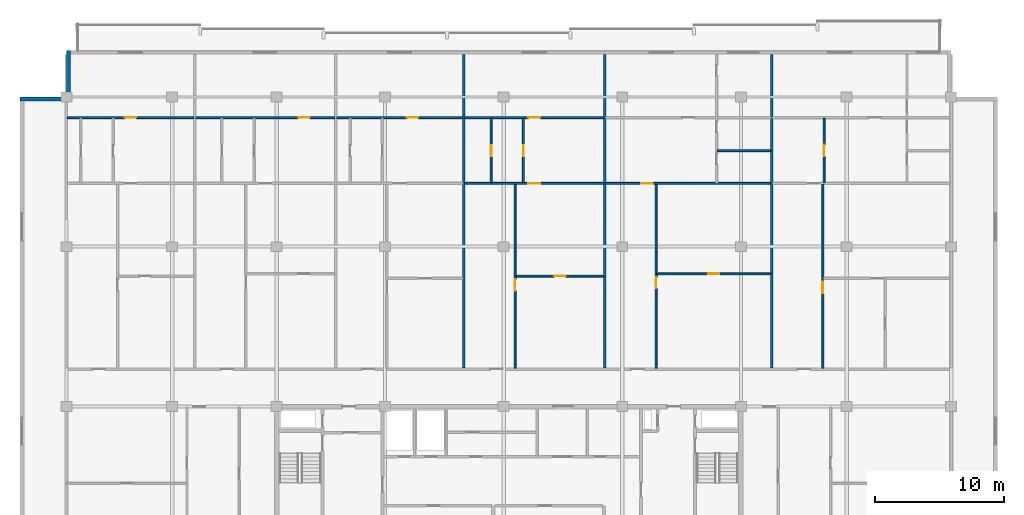
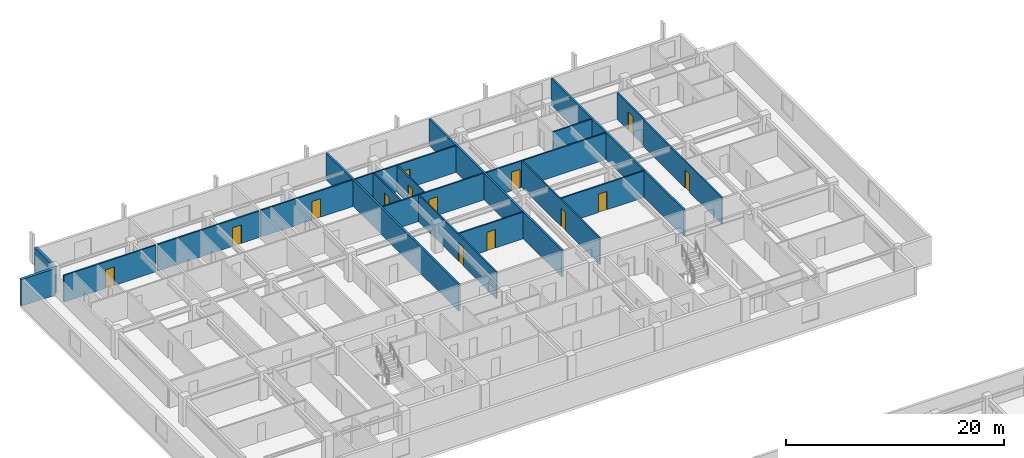
# One storey, part 11 of 17: 20 walls, 14 doors, 14 openings.
"""IFC4 building model written with IfcOpenShell, lengths in metres."""

from ifc_helpers import new_model, si_unit, direction, frame, frame_2d, origin, place, context, subcontext, project, spatial, rectangle, extrude, material, layer, layer_set, type_object, element, fill, save


model = new_model("IFC4")

# Units and contexts
model_context = context("Model", 3, precision=1e-05, world=origin(), true_north=direction((0.0, 1.0)))
body_context = subcontext(model_context, "Body", "Model", "MODEL_VIEW")
ifc_project = project(units=[si_unit("LENGTHUNIT", "METRE"), si_unit("AREAUNIT", "SQUARE_METRE"), si_unit("VOLUMEUNIT", "CUBIC_METRE"), si_unit("PLANEANGLEUNIT", "RADIAN"), si_unit("MASSUNIT", "GRAM", prefix="KILO")], contexts=[model_context])

# Site, building, storey
site_placement = place(None, origin())
site = spatial("IfcSite", under=ifc_project, at=site_placement, CompositionType="ELEMENT")
building_placement = place(site_placement, origin())
building = spatial("IfcBuilding", under=site, at=building_placement, Name="Korimba Cascade Residences", CompositionType="ELEMENT")
storey_placement = place(building_placement, frame((0.0, 0.0, 204.35009765625)))
storey = spatial("IfcBuildingStorey", under=building, at=storey_placement, Name="L59", CompositionType="ELEMENT", Elevation=204.35009765625)

# Walls
ifc_material_1 = material(Name="Precast concrete C40/50", Category="concrete")
ifc_layer_1 = layer(ifc_material_1, 0.300048828125)
ifc_layer_set_1 = layer_set([ifc_layer_1], Name="Precast concrete C40/50")
wall_type_1 = type_object("IfcWallType", Name="EW-STONE-300", PredefinedType="STANDARD", material=ifc_layer_set_1)
for number, where, z_axis, x_axis, name in (
    (1, (59.949951171875, 94.800048828125, 0.0), (0.0, 0.0, 1.0), (0.0, -1.0, 0.0), "L59 T1 Perimeter Stone Wall E07"),
    (2, (59.800048828125, 91.050048828125, 0.0), (0.0, 0.0, 1.0), (-1.0, 0.0, 0.0), "L59 T1 Perimeter Stone Wall E08"),
):
    element("IfcWall", number, at=place(storey_placement, frame(where, z_axis=z_axis, x_axis=x_axis)), inside=storey, type_object=wall_type_1, Name=name, PredefinedType="STANDARD", context=body_context, shape_type="SweptSolid", body=[
        extrude(rectangle(XDim=3.60009765625, YDim=0.300048828125, at=frame_2d((1.800048828125, 0.0))), origin(), (0.0, 0.0, 1.0), 2.97998046875),
    ])
ifc_layer_2 = layer(ifc_material_1, 0.199951171875)
ifc_layer_set_2 = layer_set([ifc_layer_2], Name="Precast concrete C40/50")
wall_type_2 = type_object("IfcWallType", Name="WAL-IT-200", PredefinedType="PARTITIONING", material=ifc_layer_set_2)
for number, where, z_axis, x_axis, name in (
    (3, (90.6201171875, 70.179931640625, 0.0), (0.0, 0.0, 1.0), (0.0, 1.0, 0.0), "L59 Partition Wall WAL-L59-T1-DEM-3"),
    (4, (101.556396484375, 70.179931640625, 0.0), (0.0, 0.0, 1.0), (0.0, 1.0, 0.0), "L59 Partition Wall WAL-L59-T1-DEM-4"),
    (5, (114.48095703125, 70.179931640625, 0.0), (0.0, 0.0, 1.0), (0.0, 1.0, 0.0), "L59 Partition Wall WAL-L59-T1-DEM-5"),
):
    element("IfcWall", number, at=place(storey_placement, frame(where, z_axis=z_axis, x_axis=x_axis)), inside=storey, type_object=wall_type_2, Name=name, PredefinedType="PARTITIONING", context=body_context, shape_type="SweptSolid", body=[
        extrude(rectangle(XDim=24.320068359375, YDim=0.199951171875, at=frame_2d((12.16015625, 0.0))), origin(), (0.0, 0.0, 1.0), 2.97998046875),
    ])

# Wall, opening, door
ifc_material_2 = material(Name="Insulated Acoustic Stud Partition", Category="gypsum")
ifc_layer_3 = layer(ifc_material_2, 0.14990234375)
ifc_layer_set_3 = layer_set([ifc_layer_3], Name="Insulated Acoustic Stud Partition")
wall_type_3 = type_object("IfcWallType", Name="WAL-PART-150", PredefinedType="PARTITIONING", material=ifc_layer_set_3)
wall_1_placement = place(storey_placement, frame((59.8798828125, 89.60009765625, 0.0), z_axis=(0.0, 0.0, 1.0), x_axis=(1.0, 0.0, 0.0)))
wall_1 = element("IfcWall", 6, at=wall_1_placement, inside=storey, type_object=wall_type_3, Name="L59 Partition Wall WAL-L59-T1-U01-HZ", PredefinedType="PARTITIONING", context=body_context, shape_type="SweptSolid", body=[
    extrude(rectangle(XDim=9.7822265625, YDim=0.14990234375, at=frame_2d((4.89111328125, 0.0))), origin(), (0.0, 0.0, 1.0), 2.97998046875),
])
opening_1_placement = place(wall_1_placement, frame((4.430908203125, 0.0, 0.0)))
opening_1 = element("IfcOpeningElement", 7, at=opening_1_placement, cuts=wall_1, Name="Opening D-IN1", PredefinedType="OPENING", context=body_context, shape_type="SweptSolid", body=[
    extrude(rectangle(XDim=0.919921875, YDim=2.080078125, at=frame_2d((0.4599609375, 1.0400390625))), frame((0.0, 0.0849609375, 0.0), z_axis=(0.0, -1.0, 0.0), x_axis=(1.0, 0.0, 0.0)), (0.0, 0.0, 1.0), 0.169921875),
])
ifc_material_3 = material(Name="Acoustic Timber Living Door", Category="wood")
door_type_1 = type_object("IfcDoorType", Name="DR-INT-920", OperationType="NOTDEFINED", PredefinedType="DOOR", material=ifc_material_3)
door_1_placement = place(opening_1_placement, origin())
door_1 = element("IfcDoor", 8, at=door_1_placement, inside=storey, type_object=door_type_1, Name="L59-T1-U01 Studio Door", OperationType="SINGLE_SWING_RIGHT", OverallHeight=2.080078125, OverallWidth=0.919921875, PredefinedType="DOOR", context=body_context, shape_type="SweptSolid", body=[
    extrude(rectangle(XDim=0.919921875, YDim=2.080078125, at=frame_2d((0.4599609375, 1.0400390625))), frame((0.0, 0.02490234375, 0.0), z_axis=(0.0, -1.0, 0.0), x_axis=(1.0, 0.0, 0.0)), (0.0, 0.0, 1.0), 0.050048828125),
])
fill(opening_1, door_1)

wall_2_placement = place(storey_placement, frame((69.822021484375, 89.60009765625, 0.0), z_axis=(0.0, 0.0, 1.0), x_axis=(1.0, 0.0, 0.0)))
wall_2 = element("IfcWall", 9, at=wall_2_placement, inside=storey, type_object=wall_type_3, Name="L59 Partition Wall WAL-L59-T1-U02-HZ", PredefinedType="PARTITIONING", context=body_context, shape_type="SweptSolid", body=[
    extrude(rectangle(XDim=10.776123046875, YDim=0.14990234375, at=frame_2d((5.38818359375, 0.0))), origin(), (0.0, 0.0, 1.0), 2.97998046875),
])
opening_2_placement = place(wall_2_placement, frame((7.94091796875, 0.0, 0.0)))
opening_2 = element("IfcOpeningElement", 10, at=opening_2_placement, cuts=wall_2, Name="Opening D-IN1", PredefinedType="OPENING", context=body_context, shape_type="SweptSolid", body=[
    extrude(rectangle(XDim=0.919921875, YDim=2.080078125, at=frame_2d((0.4599609375, 1.0400390625))), frame((0.0, 0.0849609375, 0.0), z_axis=(0.0, -1.0, 0.0), x_axis=(1.0, 0.0, 0.0)), (0.0, 0.0, 1.0), 0.169921875),
])
door_2_placement = place(opening_2_placement, origin())
door_2 = element("IfcDoor", 11, at=door_2_placement, inside=storey, type_object=door_type_1, Name="L59-T1-U02 Studio Door", OperationType="SINGLE_SWING_RIGHT", OverallHeight=2.080078125, OverallWidth=0.919921875, PredefinedType="DOOR", context=body_context, shape_type="SweptSolid", body=[
    extrude(rectangle(XDim=0.919921875, YDim=2.080078125, at=frame_2d((0.4599609375, 1.0400390625))), frame((0.0, 0.02490234375, 0.0), z_axis=(0.0, -1.0, 0.0), x_axis=(1.0, 0.0, 0.0)), (0.0, 0.0, 1.0), 0.050048828125),
])
fill(opening_2, door_2)

wall_3_placement = place(storey_placement, frame((80.75830078125, 89.60009765625, 0.0), z_axis=(0.0, 0.0, 1.0), x_axis=(1.0, 0.0, 0.0)))
wall_3 = element("IfcWall", 12, at=wall_3_placement, inside=storey, type_object=wall_type_3, Name="L59 Partition Wall WAL-L59-T1-U03-HZ", PredefinedType="PARTITIONING", context=body_context, shape_type="SweptSolid", body=[
    extrude(rectangle(XDim=9.781982421875, YDim=0.14990234375, at=frame_2d((4.89111328125, 0.0))), origin(), (0.0, 0.0, 1.0), 2.97998046875),
])
opening_3_placement = place(wall_3_placement, frame((5.417236328125, 0.0, 0.0)))
opening_3 = element("IfcOpeningElement", 13, at=opening_3_placement, cuts=wall_3, Name="Opening D-IN1", PredefinedType="OPENING", context=body_context, shape_type="SweptSolid", body=[
    extrude(rectangle(XDim=0.919921875, YDim=2.080078125, at=frame_2d((0.4599609375, 1.0400390625))), frame((0.0, 0.0849609375, 0.0), z_axis=(0.0, -1.0, 0.0), x_axis=(1.0, 0.0, 0.0)), (0.0, 0.0, 1.0), 0.169921875),
])
door_3_placement = place(opening_3_placement, origin())
door_3 = element("IfcDoor", 14, at=door_3_placement, inside=storey, type_object=door_type_1, Name="L59-T1-U03 Studio Door", OperationType="SINGLE_SWING_RIGHT", OverallHeight=2.080078125, OverallWidth=0.919921875, PredefinedType="DOOR", context=body_context, shape_type="SweptSolid", body=[
    extrude(rectangle(XDim=0.919921875, YDim=2.080078125, at=frame_2d((0.4599609375, 1.0400390625))), frame((0.0, 0.02490234375, 0.0), z_axis=(0.0, -1.0, 0.0), x_axis=(1.0, 0.0, 0.0)), (0.0, 0.0, 1.0), 0.050048828125),
])
fill(opening_3, door_3)

wall_4_placement = place(storey_placement, frame((94.650146484375, 77.31005859375, 0.0), z_axis=(0.0, 0.0, 1.0), x_axis=(1.0, 0.0, 0.0)))
wall_4 = element("IfcWall", 15, at=wall_4_placement, inside=storey, type_object=wall_type_3, Name="L59 Partition Wall WAL-L59-T1-U04-FMH", PredefinedType="PARTITIONING", context=body_context, shape_type="SweptSolid", body=[
    extrude(rectangle(XDim=6.826171875, YDim=0.14990234375, at=frame_2d((3.4130859375, 0.0))), origin(), (0.0, 0.0, 1.0), 2.97998046875),
])
opening_4_placement = place(wall_4_placement, frame((2.97314453125, 0.0, 0.0)))
opening_4 = element("IfcOpeningElement", 16, at=opening_4_placement, cuts=wall_4, Name="Opening D-IN2", PredefinedType="OPENING", context=body_context, shape_type="SweptSolid", body=[
    extrude(rectangle(XDim=0.8798828125, YDim=2.06005859375, at=frame_2d((0.43994140625, 1.030029296875))), frame((0.0, 0.0849609375, 0.0), z_axis=(0.0, -1.0, 0.0), x_axis=(1.0, 0.0, 0.0)), (0.0, 0.0, 1.0), 0.169921875),
])
ifc_material_4 = material(Name="Acoustic Timber Bedroom Door", Category="wood")
door_type_2 = type_object("IfcDoorType", Name="DR-INT-880", OperationType="NOTDEFINED", PredefinedType="DOOR", material=ifc_material_4)
door_4_placement = place(opening_4_placement, origin())
door_4 = element("IfcDoor", 17, at=door_4_placement, inside=storey, type_object=door_type_2, Name="L59-T1-U04 Library Salon Door", OperationType="SINGLE_SWING_LEFT", OverallHeight=2.06005859375, OverallWidth=0.8798828125, PredefinedType="DOOR", context=body_context, shape_type="SweptSolid", body=[
    extrude(rectangle(XDim=0.8798828125, YDim=2.06005859375, at=frame_2d((0.43994140625, 1.030029296875))), frame((0.0, 0.02490234375, 0.0), z_axis=(0.0, -1.0, 0.0), x_axis=(1.0, 0.0, 0.0)), (0.0, 0.0, 1.0), 0.050048828125),
])
fill(opening_4, door_4)

wall_5_placement = place(storey_placement, frame((94.590087890625, 70.159912109375, 0.0), z_axis=(0.0, 0.0, 1.0), x_axis=(0.0, 1.0, 0.0)))
wall_5 = element("IfcWall", 18, at=wall_5_placement, inside=storey, type_object=wall_type_3, Name="L59 Partition Wall WAL-L59-T1-U04-FV", PredefinedType="PARTITIONING", context=body_context, shape_type="SweptSolid", body=[
    extrude(rectangle(XDim=14.300048828125, YDim=0.14990234375, at=frame_2d((7.14990234375, 0.0))), origin(), (0.0, 0.0, 1.0), 2.97998046875),
])
opening_5_placement = place(wall_5_placement, frame((6.02001953125, 0.0, 0.0)))
opening_5 = element("IfcOpeningElement", 19, at=opening_5_placement, cuts=wall_5, Name="Opening D-IN2", PredefinedType="OPENING", context=body_context, shape_type="SweptSolid", body=[
    extrude(rectangle(XDim=0.8798828125, YDim=2.06005859375, at=frame_2d((0.43994140625, 1.030029296875))), frame((0.0, 0.0849609375, 0.0), z_axis=(0.0, -1.0, 0.0), x_axis=(1.0, 0.0, 0.0)), (0.0, 0.0, 1.0), 0.169921875),
])
door_5_placement = place(opening_5_placement, origin())
door_5 = element("IfcDoor", 20, at=door_5_placement, inside=storey, type_object=door_type_2, Name="L59-T1-U04 Media Lounge Door", OperationType="SINGLE_SWING_RIGHT", OverallHeight=2.06005859375, OverallWidth=0.8798828125, PredefinedType="DOOR", context=body_context, shape_type="SweptSolid", body=[
    extrude(rectangle(XDim=0.8798828125, YDim=2.06005859375, at=frame_2d((0.43994140625, 1.030029296875))), frame((0.0, 0.02490234375, 0.0), z_axis=(0.0, -1.0, 0.0), x_axis=(1.0, 0.0, 0.0)), (0.0, 0.0, 1.0), 0.050048828125),
])
fill(opening_5, door_5)

wall_6_placement = place(storey_placement, frame((92.736328125, 84.5400390625, 0.0), z_axis=(0.0, 0.0, 1.0), x_axis=(0.0, 1.0, 0.0)))
wall_6 = element("IfcWall", 21, at=wall_6_placement, inside=storey, type_object=wall_type_3, Name="L59 Partition Wall WAL-L59-T1-U04-CLS", PredefinedType="PARTITIONING", context=body_context, shape_type="SweptSolid", body=[
    extrude(rectangle(XDim=5.0, YDim=0.14990234375, at=frame_2d((2.5, 0.0))), origin(), (0.0, 0.0, 1.0), 2.97998046875),
])
opening_6_placement = place(wall_6_placement, frame((2.080078125, 0.0, 0.0)))
opening_6 = element("IfcOpeningElement", 22, at=opening_6_placement, cuts=wall_6, Name="Opening D-BT1", PredefinedType="OPENING", context=body_context, shape_type="SweptSolid", body=[
    extrude(rectangle(XDim=0.840087890625, YDim=2.0400390625, at=frame_2d((0.419921875, 1.02001953125))), frame((0.0, 0.0849609375, 0.0), z_axis=(0.0, -1.0, 0.0), x_axis=(1.0, 0.0, 0.0)), (0.0, 0.0, 1.0), 0.169921875),
])
ifc_material_5 = material(Name="Moisture-Resistant Bathroom Timber Door", Category="wood")
door_type_3 = type_object("IfcDoorType", Name="DR-INT-850", OperationType="NOTDEFINED", PredefinedType="DOOR", material=ifc_material_5)
door_6_placement = place(opening_6_placement, origin())
door_6 = element("IfcDoor", 23, at=door_6_placement, inside=storey, type_object=door_type_3, Name="L59-T1-U04 Closet Door", OperationType="SINGLE_SWING_LEFT", OverallHeight=2.0400390625, OverallWidth=0.840087890625, PredefinedType="DOOR", context=body_context, shape_type="SweptSolid", body=[
    extrude(rectangle(XDim=0.840087890625, YDim=2.0400390625, at=frame_2d((0.419921875, 1.02001953125))), frame((0.0, 0.02490234375, 0.0), z_axis=(0.0, -1.0, 0.0), x_axis=(1.0, 0.0, 0.0)), (0.0, 0.0, 1.0), 0.050048828125),
])
fill(opening_6, door_6)

wall_7_placement = place(storey_placement, frame((95.236328125, 84.5400390625, 0.0), z_axis=(0.0, 0.0, 1.0), x_axis=(0.0, 1.0, 0.0)))
wall_7 = element("IfcWall", 24, at=wall_7_placement, inside=storey, type_object=wall_type_3, Name="L59 Partition Wall WAL-L59-T1-U04-BM", PredefinedType="PARTITIONING", context=body_context, shape_type="SweptSolid", body=[
    extrude(rectangle(XDim=5.0, YDim=0.14990234375, at=frame_2d((2.5, 0.0))), origin(), (0.0, 0.0, 1.0), 2.97998046875),
])
opening_7_placement = place(wall_7_placement, frame((2.080078125, 0.0, 0.0)))
opening_7 = element("IfcOpeningElement", 25, at=opening_7_placement, cuts=wall_7, Name="Opening D-BT1", PredefinedType="OPENING", context=body_context, shape_type="SweptSolid", body=[
    extrude(rectangle(XDim=0.840087890625, YDim=2.0400390625, at=frame_2d((0.419921875, 1.02001953125))), frame((0.0, 0.0849609375, 0.0), z_axis=(0.0, -1.0, 0.0), x_axis=(1.0, 0.0, 0.0)), (0.0, 0.0, 1.0), 0.169921875),
])
door_7_placement = place(opening_7_placement, origin())
door_7 = element("IfcDoor", 26, at=door_7_placement, inside=storey, type_object=door_type_3, Name="L59-T1-U04 Bathroom Door", OperationType="SINGLE_SWING_RIGHT", OverallHeight=2.0400390625, OverallWidth=0.840087890625, PredefinedType="DOOR", context=body_context, shape_type="SweptSolid", body=[
    extrude(rectangle(XDim=0.840087890625, YDim=2.0400390625, at=frame_2d((0.419921875, 1.02001953125))), frame((0.0, 0.02490234375, 0.0), z_axis=(0.0, -1.0, 0.0), x_axis=(1.0, 0.0, 0.0)), (0.0, 0.0, 1.0), 0.050048828125),
])
fill(opening_7, door_7)

wall_8_placement = place(storey_placement, frame((90.7001953125, 84.5, 0.0), z_axis=(0.0, 0.0, 1.0), x_axis=(1.0, 0.0, 0.0)))
wall_8 = element("IfcWall", 27, at=wall_8_placement, inside=storey, type_object=wall_type_3, Name="L59 Partition Wall WAL-L59-T1-U04-MW", PredefinedType="PARTITIONING", context=body_context, shape_type="SweptSolid", body=[
    extrude(rectangle(XDim=10.776123046875, YDim=0.14990234375, at=frame_2d((5.38818359375, 0.0))), origin(), (0.0, 0.0, 1.0), 2.97998046875),
])
opening_8_placement = place(wall_8_placement, frame((4.927978515625, 0.0, 0.0)))
opening_8 = element("IfcOpeningElement", 28, at=opening_8_placement, cuts=wall_8, Name="Opening D-IN1", PredefinedType="OPENING", context=body_context, shape_type="SweptSolid", body=[
    extrude(rectangle(XDim=0.919921875, YDim=2.080078125, at=frame_2d((0.4599609375, 1.0400390625))), frame((0.0, 0.0849609375, 0.0), z_axis=(0.0, -1.0, 0.0), x_axis=(1.0, 0.0, 0.0)), (0.0, 0.0, 1.0), 0.169921875),
])
door_8_placement = place(opening_8_placement, origin())
door_8 = element("IfcDoor", 29, at=door_8_placement, inside=storey, type_object=door_type_1, Name="L59-T1-U04 Studio Kitchen Door", OperationType="SINGLE_SWING_LEFT", OverallHeight=2.080078125, OverallWidth=0.919921875, PredefinedType="DOOR", context=body_context, shape_type="SweptSolid", body=[
    extrude(rectangle(XDim=0.919921875, YDim=2.080078125, at=frame_2d((0.4599609375, 1.0400390625))), frame((0.0, 0.02490234375, 0.0), z_axis=(0.0, -1.0, 0.0), x_axis=(1.0, 0.0, 0.0)), (0.0, 0.0, 1.0), 0.050048828125),
])
fill(opening_8, door_8)

wall_9_placement = place(storey_placement, frame((90.7001953125, 89.60009765625, 0.0), z_axis=(0.0, 0.0, 1.0), x_axis=(1.0, 0.0, 0.0)))
wall_9 = element("IfcWall", 30, at=wall_9_placement, inside=storey, type_object=wall_type_3, Name="L59 Partition Wall WAL-L59-T1-U04-HZ", PredefinedType="PARTITIONING", context=body_context, shape_type="SweptSolid", body=[
    extrude(rectangle(XDim=10.776123046875, YDim=0.14990234375, at=frame_2d((5.38818359375, 0.0))), origin(), (0.0, 0.0, 1.0), 2.97998046875),
])
opening_9_placement = place(wall_9_placement, frame((4.927978515625, 0.0, 0.0)))
opening_9 = element("IfcOpeningElement", 31, at=opening_9_placement, cuts=wall_9, Name="Opening D-IN1", PredefinedType="OPENING", context=body_context, shape_type="SweptSolid", body=[
    extrude(rectangle(XDim=0.919921875, YDim=2.080078125, at=frame_2d((0.4599609375, 1.0400390625))), frame((0.0, 0.0849609375, 0.0), z_axis=(0.0, -1.0, 0.0), x_axis=(1.0, 0.0, 0.0)), (0.0, 0.0, 1.0), 0.169921875),
])
door_9_placement = place(opening_9_placement, origin())
door_9 = element("IfcDoor", 32, at=door_9_placement, inside=storey, type_object=door_type_1, Name="L59-T1-U04 Studio Door", OperationType="SINGLE_SWING_RIGHT", OverallHeight=2.080078125, OverallWidth=0.919921875, PredefinedType="DOOR", context=body_context, shape_type="SweptSolid", body=[
    extrude(rectangle(XDim=0.919921875, YDim=2.080078125, at=frame_2d((0.4599609375, 1.0400390625))), frame((0.0, 0.02490234375, 0.0), z_axis=(0.0, -1.0, 0.0), x_axis=(1.0, 0.0, 0.0)), (0.0, 0.0, 1.0), 0.050048828125),
])
fill(opening_9, door_9)

wall_10_placement = place(storey_placement, frame((105.58642578125, 77.489990234375, 0.0), z_axis=(0.0, 0.0, 1.0), x_axis=(1.0, 0.0, 0.0)))
wall_10 = element("IfcWall", 33, at=wall_10_placement, inside=storey, type_object=wall_type_3, Name="L59 Partition Wall WAL-L59-T1-U05-FMH", PredefinedType="PARTITIONING", context=body_context, shape_type="SweptSolid", body=[
    extrude(rectangle(XDim=8.814453125, YDim=0.14990234375, at=frame_2d((4.4072265625, 0.0))), origin(), (0.0, 0.0, 1.0), 2.97998046875),
])
opening_10_placement = place(wall_10_placement, frame((3.96728515625, 0.0, 0.0)))
opening_10 = element("IfcOpeningElement", 34, at=opening_10_placement, cuts=wall_10, Name="Opening D-IN2", PredefinedType="OPENING", context=body_context, shape_type="SweptSolid", body=[
    extrude(rectangle(XDim=0.8798828125, YDim=2.06005859375, at=frame_2d((0.43994140625, 1.030029296875))), frame((0.0, 0.0849609375, 0.0), z_axis=(0.0, -1.0, 0.0), x_axis=(1.0, 0.0, 0.0)), (0.0, 0.0, 1.0), 0.169921875),
])
door_10_placement = place(opening_10_placement, origin())
door_10 = element("IfcDoor", 35, at=door_10_placement, inside=storey, type_object=door_type_2, Name="L59-T1-U05 Library Salon Door", OperationType="SINGLE_SWING_LEFT", OverallHeight=2.06005859375, OverallWidth=0.8798828125, PredefinedType="DOOR", context=body_context, shape_type="SweptSolid", body=[
    extrude(rectangle(XDim=0.8798828125, YDim=2.06005859375, at=frame_2d((0.43994140625, 1.030029296875))), frame((0.0, 0.02490234375, 0.0), z_axis=(0.0, -1.0, 0.0), x_axis=(1.0, 0.0, 0.0)), (0.0, 0.0, 1.0), 0.050048828125),
])
fill(opening_10, door_10)

wall_11_placement = place(storey_placement, frame((105.5263671875, 70.159912109375, 0.0), z_axis=(0.0, 0.0, 1.0), x_axis=(0.0, 1.0, 0.0)))
wall_11 = element("IfcWall", 36, at=wall_11_placement, inside=storey, type_object=wall_type_3, Name="L59 Partition Wall WAL-L59-T1-U05-FV", PredefinedType="PARTITIONING", context=body_context, shape_type="SweptSolid", body=[
    extrude(rectangle(XDim=14.300048828125, YDim=0.14990234375, at=frame_2d((7.14990234375, 0.0))), origin(), (0.0, 0.0, 1.0), 2.97998046875),
])
opening_11_placement = place(wall_11_placement, frame((6.199951171875, 0.0, 0.0)))
opening_11 = element("IfcOpeningElement", 37, at=opening_11_placement, cuts=wall_11, Name="Opening D-IN2", PredefinedType="OPENING", context=body_context, shape_type="SweptSolid", body=[
    extrude(rectangle(XDim=0.8798828125, YDim=2.06005859375, at=frame_2d((0.43994140625, 1.030029296875))), frame((0.0, 0.0849609375, 0.0), z_axis=(0.0, -1.0, 0.0), x_axis=(1.0, 0.0, 0.0)), (0.0, 0.0, 1.0), 0.169921875),
])
door_11_placement = place(opening_11_placement, origin())
door_11 = element("IfcDoor", 38, at=door_11_placement, inside=storey, type_object=door_type_2, Name="L59-T1-U05 Media Lounge Door", OperationType="SINGLE_SWING_RIGHT", OverallHeight=2.06005859375, OverallWidth=0.8798828125, PredefinedType="DOOR", context=body_context, shape_type="SweptSolid", body=[
    extrude(rectangle(XDim=0.8798828125, YDim=2.06005859375, at=frame_2d((0.43994140625, 1.030029296875))), frame((0.0, 0.02490234375, 0.0), z_axis=(0.0, -1.0, 0.0), x_axis=(1.0, 0.0, 0.0)), (0.0, 0.0, 1.0), 0.050048828125),
])
fill(opening_11, door_11)

# Wall
wall_12_placement = place(storey_placement, frame((110.280029296875, 87.0400390625, 0.0), z_axis=(0.0, 0.0, 1.0), x_axis=(1.0, 0.0, 0.0)))
element("IfcWall", 39, at=wall_12_placement, inside=storey, type_object=wall_type_3, Name="L59 Partition Wall WAL-L59-T1-U05-BLDIV", PredefinedType="PARTITIONING", context=body_context, shape_type="SweptSolid", body=[
    extrude(rectangle(XDim=4.120849609375, YDim=0.14990234375, at=frame_2d((2.060546875, 0.0))), origin(), (0.0, 0.0, 1.0), 2.97998046875),
])

# Wall, opening, door
wall_13_placement = place(storey_placement, frame((101.636474609375, 84.5, 0.0), z_axis=(0.0, 0.0, 1.0), x_axis=(1.0, 0.0, 0.0)))
wall_13 = element("IfcWall", 40, at=wall_13_placement, inside=storey, type_object=wall_type_3, Name="L59 Partition Wall WAL-L59-T1-U05-MW", PredefinedType="PARTITIONING", context=body_context, shape_type="SweptSolid", body=[
    extrude(rectangle(XDim=12.764404296875, YDim=0.14990234375, at=frame_2d((6.38232421875, 0.0))), origin(), (0.0, 0.0, 1.0), 2.97998046875),
])
opening_12_placement = place(wall_13_placement, frame((2.719970703125, 0.0, 0.0)))
opening_12 = element("IfcOpeningElement", 41, at=opening_12_placement, cuts=wall_13, Name="Opening D-IN1", PredefinedType="OPENING", context=body_context, shape_type="SweptSolid", body=[
    extrude(rectangle(XDim=0.919921875, YDim=2.080078125, at=frame_2d((0.4599609375, 1.0400390625))), frame((0.0, 0.0849609375, 0.0), z_axis=(0.0, -1.0, 0.0), x_axis=(1.0, 0.0, 0.0)), (0.0, 0.0, 1.0), 0.169921875),
])
door_12_placement = place(opening_12_placement, origin())
door_12 = element("IfcDoor", 42, at=door_12_placement, inside=storey, type_object=door_type_1, Name="L59-T1-U05 Kitchen Archway Door", OperationType="SINGLE_SWING_RIGHT", OverallHeight=2.080078125, OverallWidth=0.919921875, PredefinedType="DOOR", context=body_context, shape_type="SweptSolid", body=[
    extrude(rectangle(XDim=0.919921875, YDim=2.080078125, at=frame_2d((0.4599609375, 1.0400390625))), frame((0.0, 0.02490234375, 0.0), z_axis=(0.0, -1.0, 0.0), x_axis=(1.0, 0.0, 0.0)), (0.0, 0.0, 1.0), 0.050048828125),
])
fill(opening_12, door_12)

wall_14_placement = place(storey_placement, frame((118.450927734375, 70.159912109375, 0.0), z_axis=(0.0, 0.0, 1.0), x_axis=(0.0, 1.0, 0.0)))
wall_14 = element("IfcWall", 43, at=wall_14_placement, inside=storey, type_object=wall_type_3, Name="L59 Partition Wall WAL-L59-T1-U06-FV", PredefinedType="PARTITIONING", context=body_context, shape_type="SweptSolid", body=[
    extrude(rectangle(XDim=14.300048828125, YDim=0.14990234375, at=frame_2d((7.14990234375, 0.0))), origin(), (0.0, 0.0, 1.0), 2.97998046875),
])
opening_13_placement = place(wall_14_placement, frame((5.840087890625, 0.0, 0.0)))
opening_13 = element("IfcOpeningElement", 44, at=opening_13_placement, cuts=wall_14, Name="Opening D-IN2", PredefinedType="OPENING", context=body_context, shape_type="SweptSolid", body=[
    extrude(rectangle(XDim=0.8798828125, YDim=2.06005859375, at=frame_2d((0.43994140625, 1.030029296875))), frame((0.0, 0.0849609375, 0.0), z_axis=(0.0, -1.0, 0.0), x_axis=(1.0, 0.0, 0.0)), (0.0, 0.0, 1.0), 0.169921875),
])
door_13_placement = place(opening_13_placement, origin())
door_13 = element("IfcDoor", 45, at=door_13_placement, inside=storey, type_object=door_type_2, Name="L59-T1-U06 Media Lounge Door", OperationType="SINGLE_SWING_RIGHT", OverallHeight=2.06005859375, OverallWidth=0.8798828125, PredefinedType="DOOR", context=body_context, shape_type="SweptSolid", body=[
    extrude(rectangle(XDim=0.8798828125, YDim=2.06005859375, at=frame_2d((0.43994140625, 1.030029296875))), frame((0.0, 0.02490234375, 0.0), z_axis=(0.0, -1.0, 0.0), x_axis=(1.0, 0.0, 0.0)), (0.0, 0.0, 1.0), 0.050048828125),
])
fill(opening_13, door_13)

wall_15_placement = place(storey_placement, frame((118.551025390625, 84.5400390625, 0.0), z_axis=(0.0, 0.0, 1.0), x_axis=(0.0, 1.0, 0.0)))
wall_15 = element("IfcWall", 46, at=wall_15_placement, inside=storey, type_object=wall_type_3, Name="L59 Partition Wall WAL-L59-T1-U06-VDIN", PredefinedType="PARTITIONING", context=body_context, shape_type="SweptSolid", body=[
    extrude(rectangle(XDim=5.0, YDim=0.14990234375, at=frame_2d((2.5, 0.0))), origin(), (0.0, 0.0, 1.0), 2.97998046875),
])
opening_14_placement = place(wall_15_placement, frame((2.06005859375, 0.0, 0.0)))
opening_14 = element("IfcOpeningElement", 47, at=opening_14_placement, cuts=wall_15, Name="Opening D-IN2", PredefinedType="OPENING", context=body_context, shape_type="SweptSolid", body=[
    extrude(rectangle(XDim=0.8798828125, YDim=2.06005859375, at=frame_2d((0.43994140625, 1.030029296875))), frame((0.0, 0.0849609375, 0.0), z_axis=(0.0, -1.0, 0.0), x_axis=(1.0, 0.0, 0.0)), (0.0, 0.0, 1.0), 0.169921875),
])
door_14_placement = place(opening_14_placement, origin())
door_14 = element("IfcDoor", 48, at=door_14_placement, inside=storey, type_object=door_type_2, Name="L59-T1-U06 Dining Room Door", OperationType="SINGLE_SWING_LEFT", OverallHeight=2.06005859375, OverallWidth=0.8798828125, PredefinedType="DOOR", context=body_context, shape_type="SweptSolid", body=[
    extrude(rectangle(XDim=0.8798828125, YDim=2.06005859375, at=frame_2d((0.43994140625, 1.030029296875))), frame((0.0, 0.02490234375, 0.0), z_axis=(0.0, -1.0, 0.0), x_axis=(1.0, 0.0, 0.0)), (0.0, 0.0, 1.0), 0.050048828125),
])
fill(opening_14, door_14)

save(model, "model.ifc")
